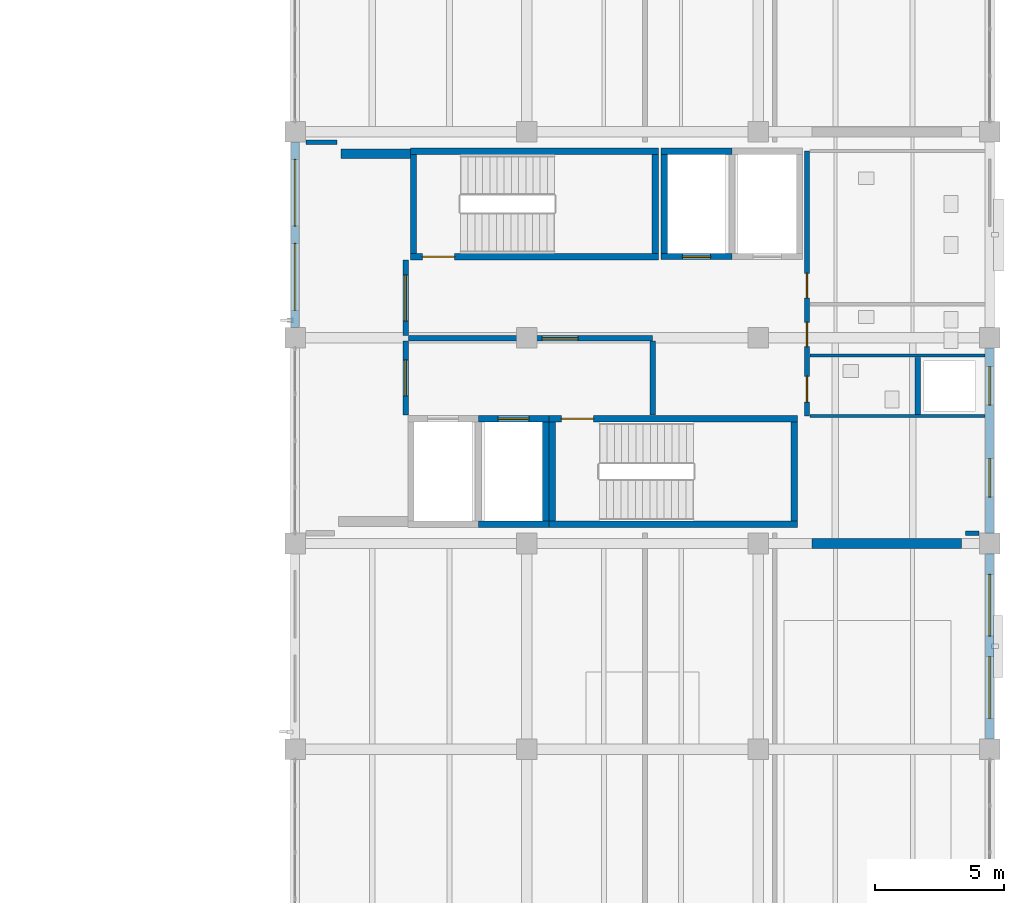
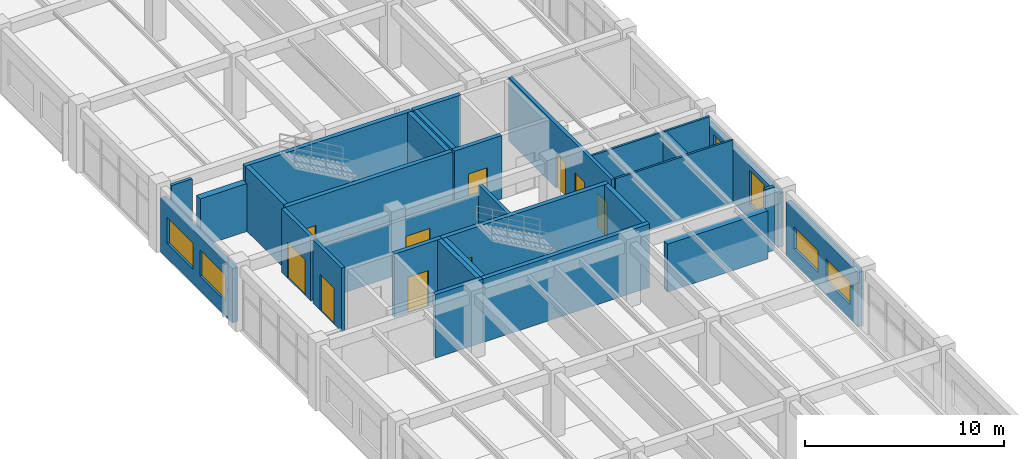
# One storey, part 129 of 148: 29 walls, 10 doors, 6 windows, 16 openings.
"""IFC4 building model written with IfcOpenShell, lengths in metres."""

import ifcopenshell
import ifcopenshell.guid

model = None  # the IFC model being written
_history = None  # IfcOwnerHistory: only IFC2X3 demands one
_inside = {}  # id of a spatial element -> (the spatial element, [elements in it])
_under = {}  # id of a project, library or spatial element -> (it, [spatial elements below it])
_declared = {}  # id of a project -> (the project, [libraries it declares])
_typed = {}  # id of a type object -> (the type object, [elements of that type])
_made_of = {}  # id of a material, layer set ... -> (it, [elements and type objects made of it])


def new_model(schema):
    """Start an empty IFC model of exactly this schema.

    Asked for "IFC4X3", IfcOpenShell would pick the latest addendum, in which some entities
    have other attributes; the version numbers below select the first issue.
    IFC2X3 requires an IfcOwnerHistory on every rooted entity: one is made here for all.
    """
    global model, _history
    if schema == "IFC4X3":
        model = ifcopenshell.file(schema_version=(4, 3, 0, 0))
    else:
        model = ifcopenshell.file(schema=schema)
    _inside.clear()
    _under.clear()
    _declared.clear()
    _typed.clear()
    _made_of.clear()
    _history = None
    if model.schema == "IFC2X3":
        org = make("IfcOrganization", Name="unknown")
        user = make(
            "IfcPersonAndOrganization",
            ThePerson=make("IfcPerson", FamilyName="unknown"),
            TheOrganization=org,
        )
        app = make(
            "IfcApplication",
            ApplicationDeveloper=org,
            Version="unknown",
            ApplicationFullName="unknown",
            ApplicationIdentifier="unknown",
        )
        _history = make(
            "IfcOwnerHistory",
            OwningUser=user,
            OwningApplication=app,
            ChangeAction="ADDED",
            CreationDate=0,
        )
    return model


def make(cls, **values):
    """One entity of the class cls with the attributes given. An attribute that is None is left unset."""
    return model.create_entity(
        cls, **{name: value for name, value in values.items() if value is not None}
    )


def rooted(cls, **values):
    """An entity with a GlobalId (a new one), such as an element, a storey or a relation."""
    return make(cls, GlobalId=ifcopenshell.guid.new(), OwnerHistory=_history, **values)


def si_unit(unit_type, name, prefix=None):
    """IfcSIUnit, for example si_unit("LENGTHUNIT", "METRE", prefix="MILLI")."""
    return make("IfcSIUnit", UnitType=unit_type, Prefix=prefix, Name=name)


def derived_unit(unit_type, elements):
    """IfcDerivedUnit: a product of units, each with its exponent."""
    return make(
        "IfcDerivedUnit",
        Elements=[
            make("IfcDerivedUnitElement", Unit=unit, Exponent=power)
            for unit, power in elements
        ],
        UnitType=unit_type,
    )


def assignment(units):
    """IfcUnitAssignment: the units of a project."""
    return None if units is None else make("IfcUnitAssignment", Units=units)


def point(xyz):
    """IfcCartesianPoint."""
    return None if xyz is None else make("IfcCartesianPoint", Coordinates=xyz)


def direction(xyz):
    """IfcDirection."""
    return None if xyz is None else make("IfcDirection", DirectionRatios=xyz)


def frame(location, z_axis=None, x_axis=None):
    """IfcAxis2Placement3D, a coordinate frame: its origin and axes. An axis left out is left unset."""
    return make(
        "IfcAxis2Placement3D",
        Location=point(location),
        Axis=direction(z_axis),
        RefDirection=direction(x_axis),
    )


def frame_2d(location, x_axis=None):
    """IfcAxis2Placement2D, a coordinate frame in the plane: its origin and x axis."""
    return make(
        "IfcAxis2Placement2D", Location=point(location), RefDirection=direction(x_axis)
    )


def origin():
    """The frame at (0, 0, 0) with its axes left unset."""
    return frame((0.0, 0.0, 0.0))


def place(relative_to, where):
    """IfcLocalPlacement: puts the frame where relative to a parent placement (None: the world)."""
    return make(
        "IfcLocalPlacement", PlacementRelTo=relative_to, RelativePlacement=where
    )


def context(
    kind, dimensions, precision=None, world=None, true_north=None, identifier=None
):
    """IfcGeometricRepresentationContext, for example the 3D "Model" context."""
    return make(
        "IfcGeometricRepresentationContext",
        ContextIdentifier=identifier,
        ContextType=kind,
        CoordinateSpaceDimension=dimensions,
        Precision=precision,
        WorldCoordinateSystem=world,
        TrueNorth=true_north,
    )


def subcontext(parent, identifier, kind, view, scale=None):
    """IfcGeometricRepresentationSubContext, for example "Body" below "Model"."""
    return make(
        "IfcGeometricRepresentationSubContext",
        ContextIdentifier=identifier,
        ContextType=kind,
        ParentContext=parent,
        TargetScale=scale,
        TargetView=view,
    )


def project(units=None, contexts=None):
    """IfcProject with its units and contexts."""
    return rooted(
        "IfcProject",
        Name="project",
        RepresentationContexts=contexts,
        UnitsInContext=assignment(units),
    )


def spatial(cls, under=None, at=None, **own):
    """A site, building, storey or space (cls), placed at a placement, below another one or the project."""
    s = rooted(cls, ObjectPlacement=at, **own)
    if under is not None:
        _under.setdefault(under.id(), (under, []))[1].append(s)
    return s


def profile(cls, at=None, kind="AREA", **sizes):
    """A parametric profile (cls). Its sizes go by their IFC names, for example OverallWidth=200.0."""
    return make(cls, ProfileType=kind, Position=at, **sizes)


def rectangle(**sizes):
    """IfcRectangleProfileDef."""
    return profile("IfcRectangleProfileDef", **sizes)


def extrude(swept, where, along, depth):
    """IfcExtrudedAreaSolid: the profile swept, set in the frame where, extruded along a direction by depth."""
    return make(
        "IfcExtrudedAreaSolid",
        SweptArea=swept,
        Position=where,
        ExtrudedDirection=direction(along),
        Depth=depth,
    )


def shape(context_of_items, identifier, shape_type, items):
    """IfcShapeRepresentation: the items that make up one representation, for example the "Body"."""
    return make(
        "IfcShapeRepresentation",
        ContextOfItems=context_of_items,
        RepresentationIdentifier=identifier,
        RepresentationType=shape_type,
        Items=items,
    )


def material(Name=None, Category=None):
    """IfcMaterial."""
    return make("IfcMaterial", Name=Name, Category=Category)


def layer(
    of_material, thickness, ventilated=None, Name=None, Category=None, Priority=None
):
    """IfcMaterialLayer: one layer of a wall or slab, of a material (None: an air gap)."""
    return make(
        "IfcMaterialLayer",
        Material=of_material,
        LayerThickness=thickness,
        IsVentilated=ventilated,
        Name=Name,
        Category=Category,
        Priority=Priority,
    )


def layer_set(layers, Name=None):
    """IfcMaterialLayerSet."""
    return make("IfcMaterialLayerSet", MaterialLayers=layers, LayerSetName=Name)


def made_of(thing, what):
    """Note that an element or type object is made of a material, layer set ...; save() writes the relation."""
    if what is not None:
        _made_of.setdefault(what.id(), (what, []))[1].append(thing)
    return thing


def type_object(cls, material=None, **own):
    """A type object (cls), such as IfcWallType, which elements share."""
    return made_of(rooted(cls, **own), material)


def element(
    cls,
    number,
    at=None,
    inside=None,
    cuts=None,
    type_object=None,
    material=None,
    context=None,
    identifier="Body",
    shape_type=None,
    held_by="IfcProductDefinitionShape",
    body=None,
    shapes=None,
    **own,
):
    """One element of the class cls, such as IfcWall. Its Tag is "e" and its number.

    at: its placement. inside: the storey or other place that contains it. cuts: it is an
    opening in that element (IfcRelVoidsElement). A single representation is given by context,
    identifier, shape_type and body (its items); several are given by shapes. held_by: the class
    of the entity that holds the representations. save() writes the other relations.
    """
    e = rooted(cls, Tag="e%d" % number, ObjectPlacement=at, **own)
    if body is not None:
        shapes = [shape(context, identifier, shape_type, body)]
    if shapes is not None:
        e.Representation = make(held_by, Representations=shapes)
    if inside is not None:
        _inside.setdefault(inside.id(), (inside, []))[1].append(e)
    if cuts is not None:
        rooted(
            "IfcRelVoidsElement", RelatingBuildingElement=cuts, RelatedOpeningElement=e
        )
    if type_object is not None:
        _typed.setdefault(type_object.id(), (type_object, []))[1].append(e)
    return made_of(e, material)


def fill(opening, filler):
    """IfcRelFillsElement: the door or window that sits in an opening."""
    return rooted(
        "IfcRelFillsElement",
        RelatingOpeningElement=opening,
        RelatedBuildingElement=filler,
    )


def aggregate(whole, parts):
    """IfcRelAggregates: a whole, such as a stair, and the parts it consists of."""
    return rooted("IfcRelAggregates", RelatingObject=whole, RelatedObjects=parts)


def save(model, path):
    """Write the relations noted so far, then the file.

    IfcRelAggregates (storeys below a building ...), IfcRelContainedInSpatialStructure (elements
    in a storey), IfcRelDefinesByType, IfcRelAssociatesMaterial and IfcRelDeclares: one each for
    every whole, place, type object, material and project.
    """
    for whole, parts in _under.values():
        aggregate(whole, parts)
    for where, things in _inside.values():
        rooted(
            "IfcRelContainedInSpatialStructure",
            RelatedElements=things,
            RelatingStructure=where,
        )
    for kind, things in _typed.values():
        rooted("IfcRelDefinesByType", RelatedObjects=things, RelatingType=kind)
    for what, things in _made_of.values():
        rooted("IfcRelAssociatesMaterial", RelatedObjects=things, RelatingMaterial=what)
    for by, libraries in _declared.values():
        rooted("IfcRelDeclares", RelatingContext=by, RelatedDefinitions=libraries)
    model.write(path)


model = new_model("IFC4")

# Units and contexts
model_context = context("Model", 3, precision=1e-05, world=origin(), true_north=direction((0.0, 1.0)))
body_context = subcontext(model_context, "Body", "Model", "MODEL_VIEW")
ifc_project = project(units=[si_unit("LENGTHUNIT", "METRE"), si_unit("AREAUNIT", "SQUARE_METRE"), si_unit("VOLUMEUNIT", "CUBIC_METRE"), si_unit("PLANEANGLEUNIT", "RADIAN"), si_unit("MASSUNIT", "GRAM", prefix="KILO"), derived_unit("THERMALTRANSMITTANCEUNIT", [(si_unit("MASSUNIT", "GRAM", prefix="KILO"), 1), (si_unit("TIMEUNIT", "SECOND"), -3), (si_unit("THERMODYNAMICTEMPERATUREUNIT", "KELVIN"), -1)])], contexts=[model_context])

# Site, building, storey
site_placement = place(None, origin())
site = spatial("IfcSite", under=ifc_project, at=site_placement, CompositionType="ELEMENT")
building_placement = place(site_placement, origin())
building = spatial("IfcBuilding", under=site, at=building_placement, Name="Zhenchuan Archway Interchange", CompositionType="ELEMENT")
storey_placement = place(building_placement, frame((0.0, 0.0, 10.199951171875)))
storey = spatial("IfcBuildingStorey", under=building, at=storey_placement, Name="L02", CompositionType="ELEMENT", Elevation=10.199951171875)

# Wall, openings, windows
ifc_material_1 = material(Name="Granite Stone Cladding", Category="masonry")
ifc_layer_1 = layer(ifc_material_1, 0.320068359375)
ifc_layer_set_1 = layer_set([ifc_layer_1], Name="Granite Stone Cladding")
wall_type_1 = type_object("IfcWallType", Name="EW_GRANITE_320", PredefinedType="STANDARD", material=ifc_layer_set_1)
wall_1_placement = place(storey_placement, frame((171.0, 55.60205078125, 0.0), z_axis=(0.0, 0.0, 1.0), x_axis=(0.0, -1.0, 0.0)))
wall_1 = element("IfcWall", 1, at=wall_1_placement, inside=storey, type_object=wall_type_1, Name="Exterior wall L02-092", PredefinedType="STANDARD", context=body_context, shape_type="SweptSolid", body=[
    extrude(rectangle(XDim=7.2041015625, YDim=0.320068359375, at=frame_2d((3.60205078125, 0.0))), origin(), (0.0, 0.0, 1.0), 3.320068359375),
])
opening_1_placement = place(wall_1_placement, frame((0.72705078125, 0.0, 0.89990234375)))
opening_1 = element("IfcOpeningElement", 2, at=opening_1_placement, cuts=wall_1, Name="Opening W-05", PredefinedType="OPENING", context=body_context, shape_type="SweptSolid", body=[
    extrude(rectangle(XDim=1.5, YDim=2.10009765625, at=frame_2d((0.75, 1.050048828125))), frame((0.0, 0.171875, 0.0), z_axis=(0.0, -1.0, 0.0), x_axis=(1.0, 0.0, 0.0)), (0.0, 0.0, 1.0), 0.343994140625),
])
opening_2_placement = place(wall_1_placement, frame((4.302734375, 0.0, 0.89990234375)))
opening_2 = element("IfcOpeningElement", 3, at=opening_2_placement, cuts=wall_1, Name="Opening W-05", PredefinedType="OPENING", context=body_context, shape_type="SweptSolid", body=[
    extrude(rectangle(XDim=1.5, YDim=2.10009765625, at=frame_2d((0.75, 1.050048828125))), frame((0.0, 0.171875, 0.0), z_axis=(0.0, -1.0, 0.0), x_axis=(1.0, 0.0, 0.0)), (0.0, 0.0, 1.0), 0.343994140625),
])
ifc_material_2 = material(Name="Double Low-E Insulated Glazing", Category="glass")
window_type_1 = type_object("IfcWindowType", Name="WN_PUNCH_1500x2100", PartitioningType="SINGLE_PANEL", PredefinedType="WINDOW", material=ifc_material_2)
window_1_placement = place(opening_1_placement, origin())
window_1 = element("IfcWindow", 4, at=window_1_placement, inside=storey, type_object=window_type_1, Name="Window L02-0238", OverallHeight=2.10009765625, OverallWidth=1.5, PartitioningType="SINGLE_PANEL", PredefinedType="WINDOW", context=body_context, shape_type="SweptSolid", body=[
    extrude(rectangle(XDim=1.5, YDim=2.10009765625, at=frame_2d((0.75, 1.050048828125))), frame((0.0, 0.030029296875, 0.0), z_axis=(0.0, -1.0, 0.0), x_axis=(1.0, 0.0, 0.0)), (0.0, 0.0, 1.0), 0.06005859375),
])
fill(opening_1, window_1)
window_2_placement = place(opening_2_placement, origin())
window_2 = element("IfcWindow", 5, at=window_2_placement, inside=storey, type_object=window_type_1, Name="Window L02-0239", OverallHeight=2.10009765625, OverallWidth=1.5, PartitioningType="SINGLE_PANEL", PredefinedType="WINDOW", context=body_context, shape_type="SweptSolid", body=[
    extrude(rectangle(XDim=1.5, YDim=2.10009765625, at=frame_2d((0.75, 1.050048828125))), frame((0.0, 0.030029296875, 0.0), z_axis=(0.0, -1.0, 0.0), x_axis=(1.0, 0.0, 0.0)), (0.0, 0.0, 1.0), 0.06005859375),
])
fill(opening_2, window_2)

wall_2_placement = place(storey_placement, frame((171.0, 47.60205078125, 0.0), z_axis=(0.0, 0.0, 1.0), x_axis=(0.0, -1.0, 0.0)))
wall_2 = element("IfcWall", 6, at=wall_2_placement, inside=storey, type_object=wall_type_1, Name="Exterior wall L02-093", PredefinedType="STANDARD", context=body_context, shape_type="SweptSolid", body=[
    extrude(rectangle(XDim=7.2041015625, YDim=0.320068359375, at=frame_2d((3.60205078125, 0.0))), origin(), (0.0, 0.0, 1.0), 3.320068359375),
])
opening_3_placement = place(wall_2_placement, frame((0.80126953125, 0.0, 0.89990234375)))
opening_3 = element("IfcOpeningElement", 7, at=opening_3_placement, cuts=wall_2, Name="Opening W-11", PredefinedType="OPENING", context=body_context, shape_type="SweptSolid", body=[
    extrude(rectangle(XDim=2.39990234375, YDim=1.35009765625, at=frame_2d((1.199951171875, 0.675048828125))), frame((0.0, 0.171875, 0.0), z_axis=(0.0, -1.0, 0.0), x_axis=(1.0, 0.0, 0.0)), (0.0, 0.0, 1.0), 0.343994140625),
])
opening_4_placement = place(wall_2_placement, frame((4.002685546875, 0.0, 0.89990234375)))
opening_4 = element("IfcOpeningElement", 8, at=opening_4_placement, cuts=wall_2, Name="Opening W-11", PredefinedType="OPENING", context=body_context, shape_type="SweptSolid", body=[
    extrude(rectangle(XDim=2.39990234375, YDim=1.35009765625, at=frame_2d((1.199951171875, 0.675048828125))), frame((0.0, 0.171875, 0.0), z_axis=(0.0, -1.0, 0.0), x_axis=(1.0, 0.0, 0.0)), (0.0, 0.0, 1.0), 0.343994140625),
])
window_type_2 = type_object("IfcWindowType", Name="WN_CLER_2400x1350", PartitioningType="SINGLE_PANEL", PredefinedType="WINDOW", material=ifc_material_2)
window_3_placement = place(opening_3_placement, origin())
window_3 = element("IfcWindow", 9, at=window_3_placement, inside=storey, type_object=window_type_2, Name="Window L02-0240", OverallHeight=1.35009765625, OverallWidth=2.39990234375, PartitioningType="SINGLE_PANEL", PredefinedType="WINDOW", context=body_context, shape_type="SweptSolid", body=[
    extrude(rectangle(XDim=2.39990234375, YDim=1.35009765625, at=frame_2d((1.199951171875, 0.675048828125))), frame((0.0, 0.030029296875, 0.0), z_axis=(0.0, -1.0, 0.0), x_axis=(1.0, 0.0, 0.0)), (0.0, 0.0, 1.0), 0.06005859375),
])
fill(opening_3, window_3)
window_4_placement = place(opening_4_placement, origin())
window_4 = element("IfcWindow", 10, at=window_4_placement, inside=storey, type_object=window_type_2, Name="Window L02-0241", OverallHeight=1.35009765625, OverallWidth=2.39990234375, PartitioningType="SINGLE_PANEL", PredefinedType="WINDOW", context=body_context, shape_type="SweptSolid", body=[
    extrude(rectangle(XDim=2.39990234375, YDim=1.35009765625, at=frame_2d((1.199951171875, 0.675048828125))), frame((0.0, 0.030029296875, 0.0), z_axis=(0.0, -1.0, 0.0), x_axis=(1.0, 0.0, 0.0)), (0.0, 0.0, 1.0), 0.06005859375),
])
fill(opening_4, window_4)

wall_3_placement = place(storey_placement, frame((144.0, 56.39794921875, 0.0), z_axis=(0.0, 0.0, 1.0), x_axis=(0.0, 1.0, 0.0)))
wall_3 = element("IfcWall", 11, at=wall_3_placement, inside=storey, type_object=wall_type_1, Name="Exterior wall L02-115", PredefinedType="STANDARD", context=body_context, shape_type="SweptSolid", body=[
    extrude(rectangle(XDim=7.2041015625, YDim=0.320068359375, at=frame_2d((3.60205078125, 0.0))), origin(), (0.0, 0.0, 1.0), 3.320068359375),
])
opening_5_placement = place(wall_3_placement, frame((0.66796875, 0.0, 0.89990234375)))
opening_5 = element("IfcOpeningElement", 12, at=opening_5_placement, cuts=wall_3, Name="Opening W-09", PredefinedType="OPENING", context=body_context, shape_type="SweptSolid", body=[
    extrude(rectangle(XDim=2.60009765625, YDim=1.60009765625, at=frame_2d((1.300048828125, 0.800048828125))), frame((0.0, 0.171875, 0.0), z_axis=(0.0, -1.0, 0.0), x_axis=(1.0, 0.0, 0.0)), (0.0, 0.0, 1.0), 0.343994140625),
])
opening_6_placement = place(wall_3_placement, frame((3.93603515625, 0.0, 0.89990234375)))
opening_6 = element("IfcOpeningElement", 13, at=opening_6_placement, cuts=wall_3, Name="Opening W-09", PredefinedType="OPENING", context=body_context, shape_type="SweptSolid", body=[
    extrude(rectangle(XDim=2.60009765625, YDim=1.60009765625, at=frame_2d((1.300048828125, 0.800048828125))), frame((0.0, 0.171875, 0.0), z_axis=(0.0, -1.0, 0.0), x_axis=(1.0, 0.0, 0.0)), (0.0, 0.0, 1.0), 0.343994140625),
])
window_type_3 = type_object("IfcWindowType", Name="WN_MOD_2600x1600", PartitioningType="SINGLE_PANEL", PredefinedType="WINDOW", material=ifc_material_2)
window_5_placement = place(opening_5_placement, origin())
window_5 = element("IfcWindow", 14, at=window_5_placement, inside=storey, type_object=window_type_3, Name="Window L02-0262", OverallHeight=1.60009765625, OverallWidth=2.60009765625, PartitioningType="SINGLE_PANEL", PredefinedType="WINDOW", context=body_context, shape_type="SweptSolid", body=[
    extrude(rectangle(XDim=2.60009765625, YDim=1.60009765625, at=frame_2d((1.300048828125, 0.800048828125))), frame((0.0, 0.030029296875, 0.0), z_axis=(0.0, -1.0, 0.0), x_axis=(1.0, 0.0, 0.0)), (0.0, 0.0, 1.0), 0.06005859375),
])
fill(opening_5, window_5)
window_6_placement = place(opening_6_placement, origin())
window_6 = element("IfcWindow", 15, at=window_6_placement, inside=storey, type_object=window_type_3, Name="Window L02-0263", OverallHeight=1.60009765625, OverallWidth=2.60009765625, PartitioningType="SINGLE_PANEL", PredefinedType="WINDOW", context=body_context, shape_type="SweptSolid", body=[
    extrude(rectangle(XDim=2.60009765625, YDim=1.60009765625, at=frame_2d((1.300048828125, 0.800048828125))), frame((0.0, 0.030029296875, 0.0), z_axis=(0.0, -1.0, 0.0), x_axis=(1.0, 0.0, 0.0)), (0.0, 0.0, 1.0), 0.06005859375),
])
fill(opening_6, window_6)

# Walls
ifc_material_3 = material(Name="Concrete C50", Category="concrete")
ifc_layer_2 = layer(ifc_material_3, 0.3798828125)
ifc_layer_set_2 = layer_set([ifc_layer_2], Name="Concrete C50")
wall_type_2 = type_object("IfcWallType", Name="WL_CORE_380", PredefinedType="SHEAR", material=ifc_layer_set_2)
wall_4_placement = place(storey_placement, frame((145.77490234375, 63.14990234375, 0.0), z_axis=(0.0, 0.0, 1.0), x_axis=(1.0, 0.0, 0.0)))
element("IfcWall", 16, at=wall_4_placement, inside=storey, type_object=wall_type_2, Name="Operations lateral shear wall W-N (L02)", PredefinedType="SHEAR", context=body_context, shape_type="SweptSolid", body=[
    extrude(rectangle(XDim=2.7001953125, YDim=0.3798828125, at=frame_2d((1.35009765625, 0.0))), origin(), (0.0, 0.0, 1.0), 2.93994140625),
])
wall_5_placement = place(storey_placement, frame((164.10009765625, 48.0, 0.0), z_axis=(0.0, 0.0, 1.0), x_axis=(1.0, 0.0, 0.0)))
element("IfcWall", 17, at=wall_5_placement, inside=storey, type_object=wall_type_2, Name="Operations lateral shear wall E-S (L02)", PredefinedType="SHEAR", context=body_context, shape_type="SweptSolid", body=[
    extrude(rectangle(XDim=5.7998046875, YDim=0.3798828125, at=frame_2d((2.89990234375, 0.0))), origin(), (0.0, 0.0, 1.0), 2.93994140625),
])

# Wall, opening, door
ifc_material_4 = material(Name="Autoclaved Aerated Concrete Block", Category="concrete")
ifc_layer_3 = layer(ifc_material_4, 0.199951171875)
ifc_layer_set_3 = layer_set([ifc_layer_3], Name="Autoclaved Aerated Concrete Block")
wall_type_3 = type_object("IfcWallType", Name="WL_FIRE_200", PredefinedType="STANDARD", material=ifc_layer_set_3)
wall_6_placement = place(storey_placement, frame((148.39990234375, 55.97998046875, 0.0), z_axis=(0.0, 0.0, 1.0), x_axis=(1.0, 0.0, 0.0)))
wall_6 = element("IfcWall", 18, at=wall_6_placement, inside=storey, type_object=wall_type_3, Name="Firefighting lift lobby smoke divider (L02)", PredefinedType="STANDARD", context=body_context, shape_type="SweptSolid", body=[
    extrude(rectangle(XDim=9.5, YDim=0.199951171875, at=frame_2d((4.75, 0.0))), origin(), (0.0, 0.0, 1.0), 3.27001953125),
])
opening_7_placement = place(wall_6_placement, frame((5.199951171875, 0.0, 0.0)))
opening_7 = element("IfcOpeningElement", 19, at=opening_7_placement, cuts=wall_6, Name="Opening FD-04", PredefinedType="OPENING", context=body_context, shape_type="SweptSolid", body=[
    extrude(rectangle(XDim=1.39990234375, YDim=2.199951171875, at=frame_2d((0.699951171875, 1.10009765625))), frame((0.0, 0.11181640625, 0.0), z_axis=(0.0, -1.0, 0.0), x_axis=(1.0, 0.0, 0.0)), (0.0, 0.0, 1.0), 0.223876953125),
])
ifc_material_5 = material(Name="Painted Galvanised Steel", Category="steel")
door_type_1 = type_object("IfcDoorType", Name="DR_LOB_FD60", OperationType="DOUBLE_DOOR_SINGLE_SWING", PredefinedType="DOOR", material=ifc_material_5)
door_1_placement = place(opening_7_placement, origin())
door_1 = element("IfcDoor", 20, at=door_1_placement, inside=storey, type_object=door_type_1, Name="Firefighting to passenger lobby smoke door (L02)", OperationType="DOUBLE_DOOR_SINGLE_SWING", OverallHeight=2.199951171875, OverallWidth=1.39990234375, PredefinedType="DOOR", context=body_context, shape_type="SweptSolid", body=[
    extrude(rectangle(XDim=1.39990234375, YDim=2.199951171875, at=frame_2d((0.699951171875, 1.10009765625))), frame((0.0, 0.02490234375, 0.0), z_axis=(0.0, -1.0, 0.0), x_axis=(1.0, 0.0, 0.0)), (0.0, 0.0, 1.0), 0.050048828125),
])
fill(opening_7, door_1)

# Wall
wall_7_placement = place(storey_placement, frame((157.89990234375, 52.989990234375, 0.0), z_axis=(0.0, 0.0, 1.0), x_axis=(0.0, 1.0, 0.0)))
element("IfcWall", 21, at=wall_7_placement, inside=storey, type_object=wall_type_3, Name="Firefighting lift lobby east fire wall (L02)", PredefinedType="STANDARD", context=body_context, shape_type="SweptSolid", body=[
    extrude(rectangle(XDim=2.880126953125, YDim=0.199951171875, at=frame_2d((1.43994140625, 0.0))), origin(), (0.0, 0.0, 1.0), 3.89013671875),
])

# Wall, opening, door
wall_8_placement = place(storey_placement, frame((148.300048828125, 52.989990234375, 0.0), z_axis=(0.0, 0.0, 1.0), x_axis=(0.0, 1.0, 0.0)))
wall_8 = element("IfcWall", 22, at=wall_8_placement, inside=storey, type_object=wall_type_3, Name="Firefighting lift lobby west fire wall (L02)", PredefinedType="STANDARD", context=body_context, shape_type="SweptSolid", body=[
    extrude(rectangle(XDim=2.880126953125, YDim=0.199951171875, at=frame_2d((1.43994140625, 0.0))), origin(), (0.0, 0.0, 1.0), 3.89013671875),
])
opening_8_placement = place(wall_8_placement, frame((0.75, 0.0, 0.0)))
opening_8 = element("IfcOpeningElement", 23, at=opening_8_placement, cuts=wall_8, Name="Opening FD-04", PredefinedType="OPENING", context=body_context, shape_type="SweptSolid", body=[
    extrude(rectangle(XDim=1.39990234375, YDim=2.199951171875, at=frame_2d((0.699951171875, 1.10009765625))), frame((0.0, 0.11181640625, 0.0), z_axis=(0.0, -1.0, 0.0), x_axis=(1.0, 0.0, 0.0)), (0.0, 0.0, 1.0), 0.223876953125),
])
door_2_placement = place(opening_8_placement, origin())
door_2 = element("IfcDoor", 24, at=door_2_placement, inside=storey, type_object=door_type_1, Name="Firefighting lift lobby corridor fire door (L02)", OperationType="DOUBLE_DOOR_SINGLE_SWING", OverallHeight=2.199951171875, OverallWidth=1.39990234375, PredefinedType="DOOR", context=body_context, shape_type="SweptSolid", body=[
    extrude(rectangle(XDim=1.39990234375, YDim=2.199951171875, at=frame_2d((0.699951171875, 1.10009765625))), frame((0.0, 0.02490234375, 0.0), z_axis=(0.0, -1.0, 0.0), x_axis=(1.0, 0.0, 0.0)), (0.0, 0.0, 1.0), 0.050048828125),
])
fill(opening_8, door_2)

wall_9_placement = place(storey_placement, frame((148.300048828125, 56.090087890625, 0.0), z_axis=(0.0, 0.0, 1.0), x_axis=(0.0, 1.0, 0.0)))
wall_9 = element("IfcWall", 25, at=wall_9_placement, inside=storey, type_object=wall_type_3, Name="Passenger lift lobby west fire wall (L02)", PredefinedType="STANDARD", context=body_context, shape_type="SweptSolid", body=[
    extrude(rectangle(XDim=2.919921875, YDim=0.199951171875, at=frame_2d((1.4599609375, 0.0))), origin(), (0.0, 0.0, 1.0), 3.89013671875),
])
opening_9_placement = place(wall_9_placement, frame((0.550048828125, 0.0, 0.0)))
opening_9 = element("IfcOpeningElement", 26, at=opening_9_placement, cuts=wall_9, Name="Opening ID-01", PredefinedType="OPENING", context=body_context, shape_type="SweptSolid", body=[
    extrude(rectangle(XDim=1.800048828125, YDim=2.199951171875, at=frame_2d((0.89990234375, 1.10009765625))), frame((0.0, 0.11181640625, 0.0), z_axis=(0.0, -1.0, 0.0), x_axis=(1.0, 0.0, 0.0)), (0.0, 0.0, 1.0), 0.223876953125),
])
ifc_material_6 = material(Name="Anodised Aluminium", Category="aluminium")
door_type_2 = type_object("IfcDoorType", Name="DR_LOBBY_DBL", OperationType="DOUBLE_DOOR_SINGLE_SWING", PredefinedType="DOOR", material=ifc_material_6)
door_3_placement = place(opening_9_placement, origin())
door_3 = element("IfcDoor", 27, at=door_3_placement, inside=storey, type_object=door_type_2, Name="Passenger lift lobby entrance door (L02)", OperationType="DOUBLE_DOOR_SINGLE_SWING", OverallHeight=2.199951171875, OverallWidth=1.800048828125, PredefinedType="DOOR", context=body_context, shape_type="SweptSolid", body=[
    extrude(rectangle(XDim=1.800048828125, YDim=2.199951171875, at=frame_2d((0.89990234375, 1.10009765625))), frame((0.0, 0.02490234375, 0.0), z_axis=(0.0, -1.0, 0.0), x_axis=(1.0, 0.0, 0.0)), (0.0, 0.0, 1.0), 0.050048828125),
])
fill(opening_9, door_3)

# Wall, openings, doors
wall_10_placement = place(storey_placement, frame((163.89990234375, 52.949951171875, 0.0), z_axis=(0.0, 0.0, 1.0), x_axis=(0.0, 1.0, 0.0)))
wall_10 = element("IfcWall", 28, at=wall_10_placement, inside=storey, type_object=wall_type_3, Name="Sanitary block west wall (L02)", PredefinedType="STANDARD", context=body_context, shape_type="SweptSolid", body=[
    extrude(rectangle(XDim=10.300048828125, YDim=0.199951171875, at=frame_2d((5.14990234375, 0.0))), origin(), (0.0, 0.0, 1.0), 3.89013671875),
])
opening_10_placement = place(wall_10_placement, frame((0.550048828125, 0.0, 0.0)))
opening_10 = element("IfcOpeningElement", 29, at=opening_10_placement, cuts=wall_10, Name="Opening ID-02", PredefinedType="OPENING", context=body_context, shape_type="SweptSolid", body=[
    extrude(rectangle(XDim=1.0, YDim=2.10009765625, at=frame_2d((0.5, 1.050048828125))), frame((0.0, 0.11181640625, 0.0), z_axis=(0.0, -1.0, 0.0), x_axis=(1.0, 0.0, 0.0)), (0.0, 0.0, 1.0), 0.223876953125),
])
opening_11_placement = place(wall_10_placement, frame((2.699951171875, 0.0, 0.0)))
opening_11 = element("IfcOpeningElement", 30, at=opening_11_placement, cuts=wall_10, Name="Opening ID-03", PredefinedType="OPENING", context=body_context, shape_type="SweptSolid", body=[
    extrude(rectangle(XDim=0.949951171875, YDim=2.10009765625, at=frame_2d((0.47509765625, 1.050048828125))), frame((0.0, 0.11181640625, 0.0), z_axis=(0.0, -1.0, 0.0), x_axis=(1.0, 0.0, 0.0)), (0.0, 0.0, 1.0), 0.223876953125),
])
opening_12_placement = place(wall_10_placement, frame((4.60009765625, 0.0, 0.0)))
opening_12 = element("IfcOpeningElement", 31, at=opening_12_placement, cuts=wall_10, Name="Opening ID-03", PredefinedType="OPENING", context=body_context, shape_type="SweptSolid", body=[
    extrude(rectangle(XDim=0.949951171875, YDim=2.10009765625, at=frame_2d((0.47509765625, 1.050048828125))), frame((0.0, 0.11181640625, 0.0), z_axis=(0.0, -1.0, 0.0), x_axis=(1.0, 0.0, 0.0)), (0.0, 0.0, 1.0), 0.223876953125),
])
ifc_material_7 = material(Name="Hardwood Timber", Category="wood")
door_type_3 = type_object("IfcDoorType", Name="DR_OPS_100", OperationType="NOTDEFINED", PredefinedType="DOOR", material=ifc_material_7)
door_4_placement = place(opening_10_placement, origin())
door_4 = element("IfcDoor", 32, at=door_4_placement, inside=storey, type_object=door_type_3, Name="Accessible WC door (L02)", OperationType="SINGLE_SWING_RIGHT", OverallHeight=2.10009765625, OverallWidth=1.0, PredefinedType="DOOR", context=body_context, shape_type="SweptSolid", body=[
    extrude(rectangle(XDim=1.0, YDim=2.10009765625, at=frame_2d((0.5, 1.050048828125))), frame((0.0, 0.02490234375, 0.0), z_axis=(0.0, -1.0, 0.0), x_axis=(1.0, 0.0, 0.0)), (0.0, 0.0, 1.0), 0.050048828125),
])
fill(opening_10, door_4)
door_type_4 = type_object("IfcDoorType", Name="DR_WC_95", OperationType="NOTDEFINED", PredefinedType="DOOR", material=ifc_material_7)
door_5_placement = place(opening_11_placement, origin())
door_5 = element("IfcDoor", 33, at=door_5_placement, inside=storey, type_object=door_type_4, Name="Male toilet door (L02)", OperationType="SINGLE_SWING_LEFT", OverallHeight=2.10009765625, OverallWidth=0.949951171875, PredefinedType="DOOR", context=body_context, shape_type="SweptSolid", body=[
    extrude(rectangle(XDim=0.949951171875, YDim=2.10009765625, at=frame_2d((0.47509765625, 1.050048828125))), frame((0.0, 0.02490234375, 0.0), z_axis=(0.0, -1.0, 0.0), x_axis=(1.0, 0.0, 0.0)), (0.0, 0.0, 1.0), 0.050048828125),
])
fill(opening_11, door_5)
door_6_placement = place(opening_12_placement, origin())
door_6 = element("IfcDoor", 34, at=door_6_placement, inside=storey, type_object=door_type_4, Name="Female toilet door (L02)", OperationType="SINGLE_SWING_RIGHT", OverallHeight=2.10009765625, OverallWidth=0.949951171875, PredefinedType="DOOR", context=body_context, shape_type="SweptSolid", body=[
    extrude(rectangle(XDim=0.949951171875, YDim=2.10009765625, at=frame_2d((0.47509765625, 1.050048828125))), frame((0.0, 0.02490234375, 0.0), z_axis=(0.0, -1.0, 0.0), x_axis=(1.0, 0.0, 0.0)), (0.0, 0.0, 1.0), 0.050048828125),
])
fill(opening_12, door_6)

# Wall
wall_11_placement = place(storey_placement, frame((168.199951171875, 53.02001953125, 0.0), z_axis=(0.0, 0.0, 1.0), x_axis=(0.0, 1.0, 0.0)))
element("IfcWall", 35, at=wall_11_placement, inside=storey, type_object=wall_type_3, Name="MEP riser west fire wall (L02)", PredefinedType="STANDARD", context=body_context, shape_type="SweptSolid", body=[
    extrude(rectangle(XDim=2.2099609375, YDim=0.199951171875, at=frame_2d((1.10498046875, 0.0))), origin(), (0.0, 0.0, 1.0), 3.89013671875),
])

# Wall, opening, door
ifc_material_8 = material(Name="Concrete C40", Category="concrete")
ifc_layer_4 = layer(ifc_material_8, 0.239990234375)
ifc_layer_set_4 = layer_set([ifc_layer_4], Name="Concrete C40")
wall_type_4 = type_object("IfcWallType", Name="WL_LIFT_240", PredefinedType="SHEAR", material=ifc_layer_set_4)
wall_12_placement = place(storey_placement, frame((158.22998046875, 59.14990234375, 0.0), z_axis=(0.0, 0.0, 1.0), x_axis=(1.0, 0.0, 0.0)))
wall_12 = element("IfcWall", 36, at=wall_12_placement, inside=storey, type_object=wall_type_4, Name="Lift LF-06 south shaft wall (L02)", PredefinedType="SHEAR", context=body_context, shape_type="SweptSolid", body=[
    extrude(rectangle(XDim=2.7451171875, YDim=0.239990234375, at=frame_2d((1.37255859375, 0.0))), origin(), (0.0, 0.0, 1.0), 3.89013671875),
])
opening_13_placement = place(wall_12_placement, frame((0.820068359375, 0.0, 0.0)))
opening_13 = element("IfcOpeningElement", 37, at=opening_13_placement, cuts=wall_12, Name="Opening LD-01", PredefinedType="OPENING", context=body_context, shape_type="SweptSolid", body=[
    extrude(rectangle(XDim=1.10009765625, YDim=2.199951171875, at=frame_2d((0.550048828125, 1.10009765625))), frame((0.0, 0.1318359375, 0.0), z_axis=(0.0, -1.0, 0.0), x_axis=(1.0, 0.0, 0.0)), (0.0, 0.0, 1.0), 0.263916015625),
])
ifc_material_9 = material(Name="Stainless Steel 304", Category="steel")
door_type_5 = type_object("IfcDoorType", Name="DR_LIFT_LD110", OperationType="DOUBLE_DOOR_SLIDING", PredefinedType="DOOR", material=ifc_material_9)
door_7_placement = place(opening_13_placement, origin())
door_7 = element("IfcDoor", 38, at=door_7_placement, inside=storey, type_object=door_type_5, Name="Lift LF-06 landing door (L02)", OperationType="DOUBLE_DOOR_SLIDING", OverallHeight=2.199951171875, OverallWidth=1.10009765625, PredefinedType="DOOR", context=body_context, shape_type="SweptSolid", body=[
    extrude(rectangle(XDim=1.10009765625, YDim=2.199951171875, at=frame_2d((0.550048828125, 1.10009765625))), frame((0.0, 0.02490234375, 0.0), z_axis=(0.0, -1.0, 0.0), x_axis=(1.0, 0.0, 0.0)), (0.0, 0.0, 1.0), 0.050048828125),
])
fill(opening_13, door_7)

# Walls
wall_13_placement = place(storey_placement, frame((160.97509765625, 63.25, 0.0), z_axis=(0.0, 0.0, 1.0), x_axis=(-1.0, 0.0, 0.0)))
element("IfcWall", 39, at=wall_13_placement, inside=storey, type_object=wall_type_4, Name="Lift LF-06 north shaft wall (L02)", PredefinedType="SHEAR", context=body_context, shape_type="SweptSolid", body=[
    extrude(rectangle(XDim=2.7451171875, YDim=0.239990234375, at=frame_2d((1.37255859375, 0.0))), origin(), (0.0, 0.0, 1.0), 3.89013671875),
])
wall_14_placement = place(storey_placement, frame((158.35009765625, 63.1298828125, 0.0), z_axis=(0.0, 0.0, 1.0), x_axis=(0.0, -1.0, 0.0)))
element("IfcWall", 40, at=wall_14_placement, inside=storey, type_object=wall_type_4, Name="Lift LF-06 west shaft wall (L02)", PredefinedType="SHEAR", context=body_context, shape_type="SweptSolid", body=[
    extrude(rectangle(XDim=3.85986328125, YDim=0.239990234375, at=frame_2d((1.929931640625, 0.0))), origin(), (0.0, 0.0, 1.0), 3.89013671875),
])
wall_15_placement = place(storey_placement, frame((151.1201171875, 48.75, 0.0), z_axis=(0.0, 0.0, 1.0), x_axis=(1.0, 0.0, 0.0)))
element("IfcWall", 41, at=wall_15_placement, inside=storey, type_object=wall_type_4, Name="Lift LF-09 south shaft wall (L02)", PredefinedType="SHEAR", context=body_context, shape_type="SweptSolid", body=[
    extrude(rectangle(XDim=2.739990234375, YDim=0.239990234375, at=frame_2d((1.3701171875, 0.0))), origin(), (0.0, 0.0, 1.0), 3.89013671875),
])

# Wall, opening, door
wall_16_placement = place(storey_placement, frame((153.860107421875, 52.85009765625, 0.0), z_axis=(0.0, 0.0, 1.0), x_axis=(-1.0, 0.0, 0.0)))
wall_16 = element("IfcWall", 42, at=wall_16_placement, inside=storey, type_object=wall_type_4, Name="Lift LF-09 north shaft wall (L02)", PredefinedType="SHEAR", context=body_context, shape_type="SweptSolid", body=[
    extrude(rectangle(XDim=2.739990234375, YDim=0.239990234375, at=frame_2d((1.3701171875, 0.0))), origin(), (0.0, 0.0, 1.0), 3.89013671875),
])
opening_14_placement = place(wall_16_placement, frame((0.77001953125, 0.0, 0.0)))
opening_14 = element("IfcOpeningElement", 43, at=opening_14_placement, cuts=wall_16, Name="Opening LD-02", PredefinedType="OPENING", context=body_context, shape_type="SweptSolid", body=[
    extrude(rectangle(XDim=1.199951171875, YDim=2.199951171875, at=frame_2d((0.60009765625, 1.10009765625))), frame((0.0, 0.1318359375, 0.0), z_axis=(0.0, -1.0, 0.0), x_axis=(1.0, 0.0, 0.0)), (0.0, 0.0, 1.0), 0.263916015625),
])
door_type_6 = type_object("IfcDoorType", Name="DR_LIFT_LD120", OperationType="DOUBLE_DOOR_SLIDING", PredefinedType="DOOR", material=ifc_material_9)
door_8_placement = place(opening_14_placement, origin())
door_8 = element("IfcDoor", 44, at=door_8_placement, inside=storey, type_object=door_type_6, Name="Lift LF-09 landing door (L02)", OperationType="DOUBLE_DOOR_SLIDING", OverallHeight=2.199951171875, OverallWidth=1.199951171875, PredefinedType="DOOR", context=body_context, shape_type="SweptSolid", body=[
    extrude(rectangle(XDim=1.199951171875, YDim=2.199951171875, at=frame_2d((0.60009765625, 1.10009765625))), frame((0.0, 0.02490234375, 0.0), z_axis=(0.0, -1.0, 0.0), x_axis=(1.0, 0.0, 0.0)), (0.0, 0.0, 1.0), 0.050048828125),
])
fill(opening_14, door_8)

# Walls
wall_17_placement = place(storey_placement, frame((153.739990234375, 48.8701171875, 0.0), z_axis=(0.0, 0.0, 1.0), x_axis=(0.0, 1.0, 0.0)))
element("IfcWall", 45, at=wall_17_placement, inside=storey, type_object=wall_type_4, Name="Lift LF-09 east shaft wall (L02)", PredefinedType="SHEAR", context=body_context, shape_type="SweptSolid", body=[
    extrude(rectangle(XDim=3.85986328125, YDim=0.239990234375, at=frame_2d((1.929931640625, 0.0))), origin(), (0.0, 0.0, 1.0), 3.89013671875),
])
ifc_material_10 = material(Name="Concrete Block Masonry", Category="masonry")
ifc_layer_5 = layer(ifc_material_10, 0.179931640625)
ifc_layer_set_5 = layer_set([ifc_layer_5], Name="Concrete Block Masonry")
wall_type_5 = type_object("IfcWallType", Name="WL_PART_180", PredefinedType="STANDARD", material=ifc_layer_set_5)
wall_18_placement = place(storey_placement, frame((170.050048828125, 48.39990234375, 0.0), z_axis=(0.0, 0.0, 1.0), x_axis=(1.0, 0.0, 0.0)))
element("IfcWall", 46, at=wall_18_placement, inside=storey, type_object=wall_type_5, Name="Rolling Stock Telemetry Diagnostics Lab N partition (L02)", PredefinedType="STANDARD", context=body_context, shape_type="SweptSolid", body=[
    extrude(rectangle(XDim=0.52490234375, YDim=0.179931640625, at=frame_2d((0.262451171875, 0.0))), origin(), (0.0, 0.0, 1.0), 3.89013671875),
])
wall_19_placement = place(storey_placement, frame((144.425048828125, 63.60009765625, 0.0), z_axis=(0.0, 0.0, 1.0), x_axis=(1.0, 0.0, 0.0)))
element("IfcWall", 47, at=wall_19_placement, inside=storey, type_object=wall_type_5, Name="Fare Gate Bench Calibration Workshop S partition (L02)", PredefinedType="STANDARD", context=body_context, shape_type="SweptSolid", body=[
    extrude(rectangle(XDim=1.199951171875, YDim=0.179931640625, at=frame_2d((0.60009765625, 0.0))), origin(), (0.0, 0.0, 1.0), 3.89013671875),
])

# Wall, opening, door
ifc_layer_6 = layer(ifc_material_8, 0.25)
ifc_layer_set_6 = layer_set([ifc_layer_6], Name="Concrete C40")
wall_type_6 = type_object("IfcWallType", Name="WL_STAIR_250", PredefinedType="SHEAR", material=ifc_layer_set_6)
wall_20_placement = place(storey_placement, frame((148.47509765625, 59.14990234375, 0.0), z_axis=(0.0, 0.0, 1.0), x_axis=(1.0, 0.0, 0.0)))
wall_20 = element("IfcWall", 48, at=wall_20_placement, inside=storey, type_object=wall_type_6, Name="Stair ST-O1 south wall (L02)", PredefinedType="SHEAR", context=body_context, shape_type="SweptSolid", body=[
    extrude(rectangle(XDim=9.64990234375, YDim=0.25, at=frame_2d((4.824951171875, 0.0))), origin(), (0.0, 0.0, 1.0), 3.89013671875),
])
opening_15_placement = place(wall_20_placement, frame((0.47509765625, 0.0, 0.0)))
opening_15 = element("IfcOpeningElement", 49, at=opening_15_placement, cuts=wall_20, Name="Opening FD-01", PredefinedType="OPENING", context=body_context, shape_type="SweptSolid", body=[
    extrude(rectangle(XDim=1.25, YDim=2.14990234375, at=frame_2d((0.625, 1.074951171875))), frame((0.0, 0.136962890625, 0.0), z_axis=(0.0, -1.0, 0.0), x_axis=(1.0, 0.0, 0.0)), (0.0, 0.0, 1.0), 0.27392578125),
])
door_type_7 = type_object("IfcDoorType", Name="DR_STAIR_FD90", OperationType="NOTDEFINED", PredefinedType="DOOR", material=ifc_material_5)
door_9_placement = place(opening_15_placement, origin())
door_9 = element("IfcDoor", 50, at=door_9_placement, inside=storey, type_object=door_type_7, Name="Stair ST-O1 fire door (L02)", OperationType="SINGLE_SWING_LEFT", OverallHeight=2.14990234375, OverallWidth=1.25, PredefinedType="DOOR", context=body_context, shape_type="SweptSolid", body=[
    extrude(rectangle(XDim=1.25, YDim=2.14990234375, at=frame_2d((0.625, 1.074951171875))), frame((0.0, 0.02490234375, 0.0), z_axis=(0.0, -1.0, 0.0), x_axis=(1.0, 0.0, 0.0)), (0.0, 0.0, 1.0), 0.050048828125),
])
fill(opening_15, door_9)

# Walls
wall_21_placement = place(storey_placement, frame((158.125, 63.25, 0.0), z_axis=(0.0, 0.0, 1.0), x_axis=(-1.0, 0.0, 0.0)))
element("IfcWall", 51, at=wall_21_placement, inside=storey, type_object=wall_type_6, Name="Stair ST-O1 north wall (L02)", PredefinedType="SHEAR", context=body_context, shape_type="SweptSolid", body=[
    extrude(rectangle(XDim=9.64990234375, YDim=0.25, at=frame_2d((4.824951171875, 0.0))), origin(), (0.0, 0.0, 1.0), 3.89013671875),
])
for number, where, z_axis, x_axis, name in (
    (52, (148.60009765625, 63.125, 0.0), (0.0, 0.0, 1.0), (0.0, -1.0, 0.0), "Stair ST-O1 west wall (L02)"),
    (53, (158.0, 59.27490234375, 0.0), (0.0, 0.0, 1.0), (0.0, 1.0, 0.0), "Stair ST-O1 east wall (L02)"),
):
    element("IfcWall", number, at=place(storey_placement, frame(where, z_axis=z_axis, x_axis=x_axis)), inside=storey, type_object=wall_type_6, Name=name, PredefinedType="SHEAR", context=body_context, shape_type="SweptSolid", body=[
        extrude(rectangle(XDim=3.85009765625, YDim=0.25, at=frame_2d((1.925048828125, 0.0))), origin(), (0.0, 0.0, 1.0), 3.89013671875),
    ])
wall_22_placement = place(storey_placement, frame((153.875, 48.75, 0.0), z_axis=(0.0, 0.0, 1.0), x_axis=(1.0, 0.0, 0.0)))
element("IfcWall", 54, at=wall_22_placement, inside=storey, type_object=wall_type_6, Name="Stair ST-O2 south wall (L02)", PredefinedType="SHEAR", context=body_context, shape_type="SweptSolid", body=[
    extrude(rectangle(XDim=9.64990234375, YDim=0.25, at=frame_2d((4.824951171875, 0.0))), origin(), (0.0, 0.0, 1.0), 3.89013671875),
])

# Wall, opening, door
wall_23_placement = place(storey_placement, frame((163.52490234375, 52.85009765625, 0.0), z_axis=(0.0, 0.0, 1.0), x_axis=(-1.0, 0.0, 0.0)))
wall_23 = element("IfcWall", 55, at=wall_23_placement, inside=storey, type_object=wall_type_6, Name="Stair ST-O2 north wall (L02)", PredefinedType="SHEAR", context=body_context, shape_type="SweptSolid", body=[
    extrude(rectangle(XDim=9.64990234375, YDim=0.25, at=frame_2d((4.824951171875, 0.0))), origin(), (0.0, 0.0, 1.0), 3.89013671875),
])
opening_16_placement = place(wall_23_placement, frame((7.925048828125, 0.0, 0.0)))
opening_16 = element("IfcOpeningElement", 56, at=opening_16_placement, cuts=wall_23, Name="Opening FD-01", PredefinedType="OPENING", context=body_context, shape_type="SweptSolid", body=[
    extrude(rectangle(XDim=1.25, YDim=2.14990234375, at=frame_2d((0.625, 1.074951171875))), frame((0.0, 0.136962890625, 0.0), z_axis=(0.0, -1.0, 0.0), x_axis=(1.0, 0.0, 0.0)), (0.0, 0.0, 1.0), 0.27392578125),
])
door_10_placement = place(opening_16_placement, origin())
door_10 = element("IfcDoor", 57, at=door_10_placement, inside=storey, type_object=door_type_7, Name="Stair ST-O2 fire door (L02)", OperationType="SINGLE_SWING_RIGHT", OverallHeight=2.14990234375, OverallWidth=1.25, PredefinedType="DOOR", context=body_context, shape_type="SweptSolid", body=[
    extrude(rectangle(XDim=1.25, YDim=2.14990234375, at=frame_2d((0.625, 1.074951171875))), frame((0.0, 0.02490234375, 0.0), z_axis=(0.0, -1.0, 0.0), x_axis=(1.0, 0.0, 0.0)), (0.0, 0.0, 1.0), 0.050048828125),
])
fill(opening_16, door_10)

# Walls
for number, where, z_axis, x_axis, name in (
    (58, (154.0, 52.72509765625, 0.0), (0.0, 0.0, 1.0), (0.0, -1.0, 0.0), "Stair ST-O2 west wall (L02)"),
    (59, (163.39990234375, 48.875, 0.0), (0.0, 0.0, 1.0), (0.0, 1.0, 0.0), "Stair ST-O2 east wall (L02)"),
):
    element("IfcWall", number, at=place(storey_placement, frame(where, z_axis=z_axis, x_axis=x_axis)), inside=storey, type_object=wall_type_6, Name=name, PredefinedType="SHEAR", context=body_context, shape_type="SweptSolid", body=[
        extrude(rectangle(XDim=3.85009765625, YDim=0.25, at=frame_2d((1.925048828125, 0.0))), origin(), (0.0, 0.0, 1.0), 3.89013671875),
    ])
ifc_material_11 = material(Name="Gypsum Plasterboard", Category="gypsum")
ifc_layer_7 = layer(ifc_material_11, 0.1201171875)
ifc_layer_set_7 = layer_set([ifc_layer_7], Name="Gypsum Plasterboard")
wall_type_7 = type_object("IfcWallType", Name="WL_WC_120", PredefinedType="STANDARD", material=ifc_layer_set_7)
for number, where, z_axis, x_axis, name in (
    (60, (164.010009765625, 52.949951171875, 0.0), (0.0, 0.0, 1.0), (1.0, 0.0, 0.0), "Sanitary divider S (L02)"),
    (61, (164.010009765625, 55.300048828125, 0.0), (0.0, 0.0, 1.0), (1.0, 0.0, 0.0), "Sanitary divider AM (L02)"),
):
    element("IfcWall", number, at=place(storey_placement, frame(where, z_axis=z_axis, x_axis=x_axis)), inside=storey, type_object=wall_type_7, Name=name, PredefinedType="STANDARD", context=body_context, shape_type="SweptSolid", body=[
        extrude(rectangle(XDim=6.81494140625, YDim=0.1201171875, at=frame_2d((3.407470703125, 0.0))), origin(), (0.0, 0.0, 1.0), 3.89013671875),
    ])

save(model, "model.ifc")
